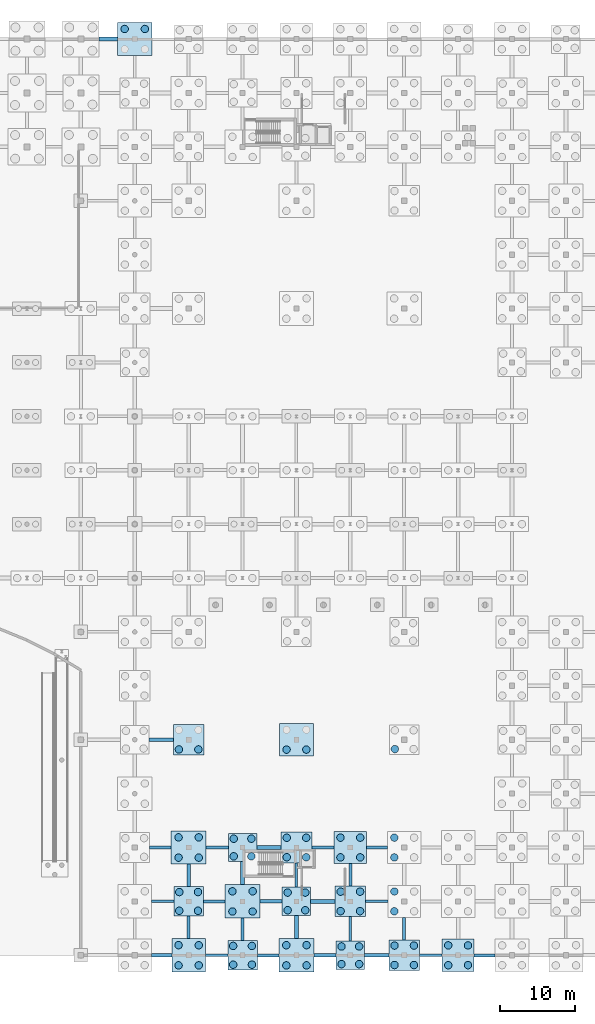
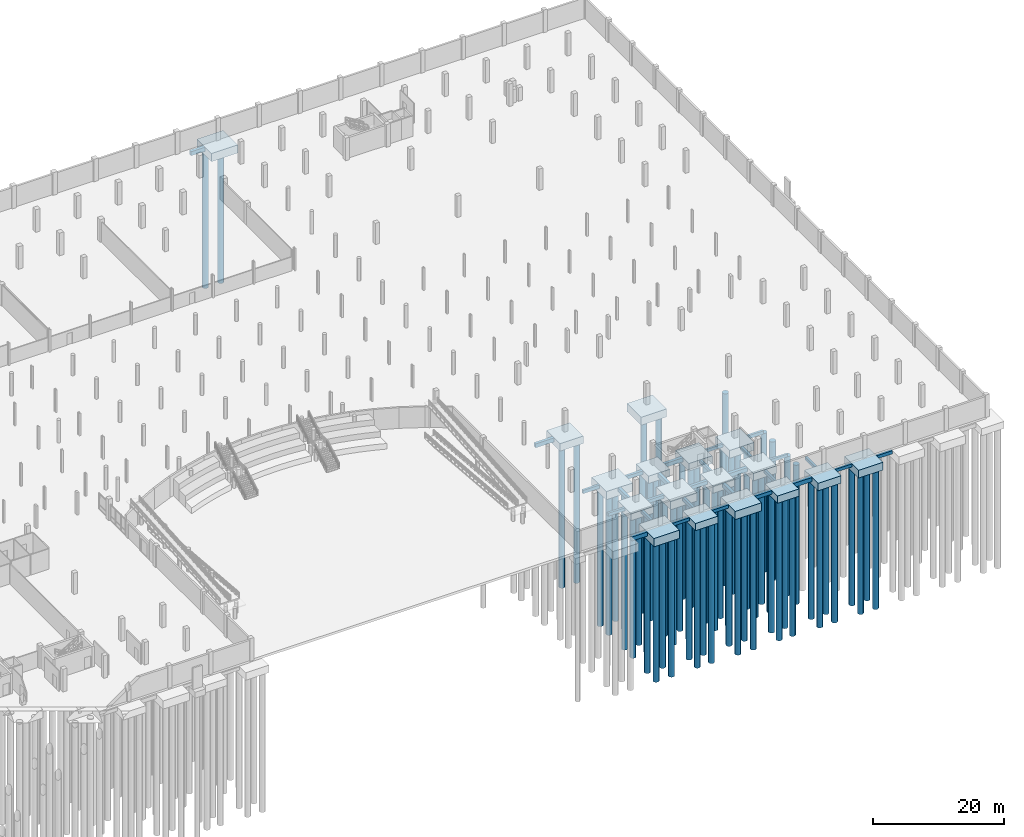
# One storey, part 12 of 56: 67 piles, 45 footings.
"""IFC4 building model written with IfcOpenShell, lengths in metres."""

from ifc_helpers import new_model, si_unit, direction, frame, origin, origin_2d, place, context, subcontext, project, spatial, rectangle, circle, extrude, material, material_profile, profile_set, type_object, element, save


model = new_model("IFC4")

# Units and contexts
model_context = context("Model", 3, precision=1e-05, world=origin(), true_north=direction((0.0, 1.0)))
body_context = subcontext(model_context, "Body", "Model", "MODEL_VIEW")
ifc_project = project(units=[si_unit("LENGTHUNIT", "METRE"), si_unit("AREAUNIT", "SQUARE_METRE"), si_unit("VOLUMEUNIT", "CUBIC_METRE"), si_unit("PLANEANGLEUNIT", "RADIAN"), si_unit("MASSUNIT", "GRAM", prefix="KILO")], contexts=[model_context])

# Site, building, storey
site_placement = place(None, origin())
site = spatial("IfcSite", under=ifc_project, at=site_placement, CompositionType="ELEMENT")
building_placement = place(site_placement, origin())
building = spatial("IfcBuilding", under=site, at=building_placement, Name="Suanplinth Sawtooth Commons", CompositionType="ELEMENT")
storey_placement = place(building_placement, frame((0.0, 0.0, -4.199951171875)))
storey = spatial("IfcBuildingStorey", under=building, at=storey_placement, Name="B1", CompositionType="ELEMENT", Elevation=-4.199951171875)

# Footings
ifc_material_1 = material(Name="Concrete C35/45", Category="concrete")
ifc_material_profile_1 = material_profile(ifc_material_1, rectangle(XDim=0.449951171875, YDim=0.64990234375, at=origin_2d()), Name="PC-GDR 450x650")
ifc_profile_set_1 = profile_set([ifc_material_profile_1], Name="Concrete C35/45")
footing_type_1 = type_object("IfcFootingType", Name="FB-01", PredefinedType="FOOTING_BEAM", material=ifc_profile_set_1)
footing_1_placement = place(storey_placement, frame((129.60009765625, 9.175048828125, -0.824951171875), z_axis=(0.0, 1.0, 0.0), x_axis=(-1.0, 0.0, 0.0)))
element("IfcFooting", 1, at=footing_1_placement, inside=storey, type_object=footing_type_1, Name="Foundation Tie Beam 19/B-C", PredefinedType="FOOTING_BEAM", context=body_context, shape_type="SweptSolid", body=[
    extrude(rectangle(XDim=0.449951171875, YDim=0.64990234375, at=origin_2d()), origin(), (0.0, 0.0, 1.0), 3.0),
])
footing_2_placement = place(storey_placement, frame((131.925048828125, 14.39990234375, -0.824951171875), z_axis=(1.0, 0.0, 0.0), x_axis=(0.0, 1.0, 0.0)))
element("IfcFooting", 2, at=footing_2_placement, inside=storey, type_object=footing_type_1, Name="Foundation Tie Beam 19-20/C", PredefinedType="FOOTING_BEAM", context=body_context, shape_type="SweptSolid", body=[
    extrude(rectangle(XDim=0.449951171875, YDim=0.64990234375, at=origin_2d()), origin(), (0.0, 0.0, 1.0), 2.974853515625),
])
footing_3_placement = place(storey_placement, frame((136.800048828125, 1.97509765625, -0.824951171875), z_axis=(0.0, 1.0, 0.0), x_axis=(-1.0, 0.0, 0.0)))
element("IfcFooting", 3, at=footing_3_placement, inside=storey, type_object=footing_type_1, Name="Foundation Tie Beam 20/A-B", PredefinedType="FOOTING_BEAM", context=body_context, shape_type="SweptSolid", body=[
    extrude(rectangle(XDim=0.449951171875, YDim=0.64990234375, at=origin_2d()), origin(), (0.0, 0.0, 1.0), 3.0),
])
for number, where, z_axis, x_axis, name in (
    (4, (139.125, 7.199951171875, -0.824951171875), (1.0, 0.0, 0.0), (0.0, 1.0, 0.0), "Foundation Tie Beam 20-21/B"),
    (5, (146.324951171875, 0.0, -0.824951171875), (1.0, 0.0, 0.0), (0.0, 1.0, 0.0), "Foundation Tie Beam 21-22/A"),
):
    element("IfcFooting", number, at=place(storey_placement, frame(where, z_axis=z_axis, x_axis=x_axis)), inside=storey, type_object=footing_type_1, Name=name, PredefinedType="FOOTING_BEAM", context=body_context, shape_type="SweptSolid", body=[
        extrude(rectangle(XDim=0.449951171875, YDim=0.64990234375, at=origin_2d()), origin(), (0.0, 0.0, 1.0), 2.97509765625),
    ])
ifc_material_profile_2 = material_profile(ifc_material_1, rectangle(XDim=0.5, YDim=0.75, at=origin_2d()), Name="RC-GDR 500x750")
ifc_profile_set_2 = profile_set([ifc_material_profile_2], Name="Concrete C35/45")
footing_type_2 = type_object("IfcFootingType", Name="FB-02", PredefinedType="FOOTING_BEAM", material=ifc_profile_set_2)
footing_4_placement = place(storey_placement, frame((117.64990234375, 122.39990234375, -0.875), z_axis=(1.0, 0.0, 0.0), x_axis=(0.0, 1.0, 0.0)))
element("IfcFooting", 6, at=footing_4_placement, inside=storey, type_object=footing_type_2, Name="Foundation Tie Beam 17-18/T", PredefinedType="FOOTING_BEAM", context=body_context, shape_type="SweptSolid", body=[
    extrude(rectangle(XDim=0.5, YDim=0.75, at=origin_2d()), origin(), (0.0, 0.0, 1.0), 2.425048828125),
])
footing_5_placement = place(storey_placement, frame((124.64990234375, 0.0, -0.875), z_axis=(1.0, 0.0, 0.0), x_axis=(0.0, 1.0, 0.0)))
element("IfcFooting", 7, at=footing_5_placement, inside=storey, type_object=footing_type_2, Name="Foundation Tie Beam 18-19/A", PredefinedType="FOOTING_BEAM", context=body_context, shape_type="SweptSolid", body=[
    extrude(rectangle(XDim=0.5, YDim=0.75, at=origin_2d()), origin(), (0.0, 0.0, 1.0), 2.7001953125),
])
footing_6_placement = place(storey_placement, frame((124.300048828125, 28.800048828125, -0.875), z_axis=(1.0, 0.0, 0.0), x_axis=(0.0, 1.0, 0.0)))
element("IfcFooting", 8, at=footing_6_placement, inside=storey, type_object=footing_type_2, Name="Foundation Tie Beam 18-19/E", PredefinedType="FOOTING_BEAM", context=body_context, shape_type="SweptSolid", body=[
    extrude(rectangle(XDim=0.5, YDim=0.75, at=origin_2d()), origin(), (0.0, 0.0, 1.0), 3.25),
])
footing_7_placement = place(storey_placement, frame((136.800048828125, 9.425048828125, -0.875), z_axis=(0.0, 1.0, 0.0), x_axis=(-1.0, 0.0, 0.0)))
element("IfcFooting", 9, at=footing_7_placement, inside=storey, type_object=footing_type_2, Name="Foundation Tie Beam 20/B-C", PredefinedType="FOOTING_BEAM", context=body_context, shape_type="SweptSolid", body=[
    extrude(rectangle(XDim=0.5, YDim=0.75, at=origin_2d()), origin(), (0.0, 0.0, 1.0), 3.074951171875),
])
footing_8_placement = place(storey_placement, frame((138.699951171875, 14.39990234375, -0.875), z_axis=(1.0, 0.0, 0.0), x_axis=(0.0, 1.0, 0.0)))
element("IfcFooting", 10, at=footing_8_placement, inside=storey, type_object=footing_type_2, Name="Foundation Tie Beam 20-21/C", PredefinedType="FOOTING_BEAM", context=body_context, shape_type="SweptSolid", body=[
    extrude(rectangle(XDim=0.5, YDim=0.75, at=origin_2d()), origin(), (0.0, 0.0, 1.0), 3.25),
])
footing_9_placement = place(storey_placement, frame((144.0, 2.22509765625, -0.875), z_axis=(0.0, 1.0, 0.0), x_axis=(-1.0, 0.0, 0.0)))
element("IfcFooting", 11, at=footing_9_placement, inside=storey, type_object=footing_type_2, Name="Foundation Tie Beam 21/A-B", PredefinedType="FOOTING_BEAM", context=body_context, shape_type="SweptSolid", body=[
    extrude(rectangle(XDim=0.5, YDim=0.75, at=origin_2d()), origin(), (0.0, 0.0, 1.0), 3.074951171875),
])
for number, where, z_axis, x_axis, name in (
    (12, (145.89990234375, 7.199951171875, -0.875), (1.0, 0.0, 0.0), (0.0, 1.0, 0.0), "Foundation Tie Beam 21-22/B"),
    (13, (153.10009765625, 0.0, -0.875), (1.0, 0.0, 0.0), (0.0, 1.0, 0.0), "Foundation Tie Beam 22-23/A"),
):
    element("IfcFooting", number, at=place(storey_placement, frame(where, z_axis=z_axis, x_axis=x_axis)), inside=storey, type_object=footing_type_2, Name=name, PredefinedType="FOOTING_BEAM", context=body_context, shape_type="SweptSolid", body=[
        extrude(rectangle(XDim=0.5, YDim=0.75, at=origin_2d()), origin(), (0.0, 0.0, 1.0), 3.25),
    ])
ifc_material_profile_3 = material_profile(ifc_material_1, rectangle(XDim=0.35009765625, YDim=0.550048828125, at=origin_2d()), Name="PC-BM 350x550")
ifc_profile_set_3 = profile_set([ifc_material_profile_3], Name="Concrete C35/45")
footing_type_3 = type_object("IfcFootingType", Name="FB-03", PredefinedType="FOOTING_BEAM", material=ifc_profile_set_3)
footing_10_placement = place(storey_placement, frame((124.64990234375, 7.199951171875, -0.775146484375), z_axis=(1.0, 0.0, 0.0), x_axis=(0.0, 1.0, 0.0)))
element("IfcFooting", 14, at=footing_10_placement, inside=storey, type_object=footing_type_3, Name="Foundation Tie Beam 18-19/B", PredefinedType="FOOTING_BEAM", context=body_context, shape_type="SweptSolid", body=[
    extrude(rectangle(XDim=0.35009765625, YDim=0.550048828125, at=origin_2d()), origin(), (0.0, 0.0, 1.0), 2.97509765625),
])
footing_11_placement = place(storey_placement, frame((131.85009765625, 0.0, -0.775146484375), z_axis=(1.0, 0.0, 0.0), x_axis=(0.0, 1.0, 0.0)))
element("IfcFooting", 15, at=footing_11_placement, inside=storey, type_object=footing_type_3, Name="Foundation Tie Beam 19-20/A", PredefinedType="FOOTING_BEAM", context=body_context, shape_type="SweptSolid", body=[
    extrude(rectangle(XDim=0.35009765625, YDim=0.550048828125, at=origin_2d()), origin(), (0.0, 0.0, 1.0), 2.974853515625),
])
footing_12_placement = place(storey_placement, frame((144.0, 9.10009765625, -0.775146484375), z_axis=(0.0, 1.0, 0.0), x_axis=(-1.0, 0.0, 0.0)))
element("IfcFooting", 16, at=footing_12_placement, inside=storey, type_object=footing_type_3, Name="Foundation Tie Beam 21/B-C", PredefinedType="FOOTING_BEAM", context=body_context, shape_type="SweptSolid", body=[
    extrude(rectangle(XDim=0.35009765625, YDim=0.550048828125, at=origin_2d()), origin(), (0.0, 0.0, 1.0), 3.25),
])
footing_13_placement = place(storey_placement, frame((146.050048828125, 14.39990234375, -0.775146484375), z_axis=(1.0, 0.0, 0.0), x_axis=(0.0, 1.0, 0.0)))
element("IfcFooting", 17, at=footing_13_placement, inside=storey, type_object=footing_type_3, Name="Foundation Tie Beam 21-22/C", PredefinedType="FOOTING_BEAM", context=body_context, shape_type="SweptSolid", body=[
    extrude(rectangle(XDim=0.35009765625, YDim=0.550048828125, at=origin_2d()), origin(), (0.0, 0.0, 1.0), 3.0),
])
footing_14_placement = place(storey_placement, frame((151.199951171875, 1.89990234375, -0.775146484375), z_axis=(0.0, 1.0, 0.0), x_axis=(-1.0, 0.0, 0.0)))
element("IfcFooting", 18, at=footing_14_placement, inside=storey, type_object=footing_type_3, Name="Foundation Tie Beam 22/A-B", PredefinedType="FOOTING_BEAM", context=body_context, shape_type="SweptSolid", body=[
    extrude(rectangle(XDim=0.35009765625, YDim=0.550048828125, at=origin_2d()), origin(), (0.0, 0.0, 1.0), 3.25),
])
for number, where, z_axis, x_axis, name in (
    (19, (153.25, 7.199951171875, -0.775146484375), (1.0, 0.0, 0.0), (0.0, 1.0, 0.0), "Foundation Tie Beam 22-23/B"),
    (20, (160.449951171875, 0.0, -0.775146484375), (1.0, 0.0, 0.0), (0.0, 1.0, 0.0), "Foundation Tie Beam 23-24/A"),
):
    element("IfcFooting", number, at=place(storey_placement, frame(where, z_axis=z_axis, x_axis=x_axis)), inside=storey, type_object=footing_type_3, Name=name, PredefinedType="FOOTING_BEAM", context=body_context, shape_type="SweptSolid", body=[
        extrude(rectangle(XDim=0.35009765625, YDim=0.550048828125, at=origin_2d()), origin(), (0.0, 0.0, 1.0), 3.0),
    ])
ifc_material_profile_4 = material_profile(ifc_material_1, rectangle(XDim=0.39990234375, YDim=0.60009765625, at=origin_2d()), Name="PC-GDR 400x600")
ifc_profile_set_4 = profile_set([ifc_material_profile_4], Name="Concrete C35/45")
footing_type_4 = type_object("IfcFootingType", Name="FB-04", PredefinedType="FOOTING_BEAM", material=ifc_profile_set_4)
footing_15_placement = place(storey_placement, frame((124.375, 14.39990234375, -0.800048828125), z_axis=(1.0, 0.0, 0.0), x_axis=(0.0, 1.0, 0.0)))
element("IfcFooting", 21, at=footing_15_placement, inside=storey, type_object=footing_type_4, Name="Foundation Tie Beam 18-19/C", PredefinedType="FOOTING_BEAM", context=body_context, shape_type="SweptSolid", body=[
    extrude(rectangle(XDim=0.39990234375, YDim=0.60009765625, at=origin_2d()), origin(), (0.0, 0.0, 1.0), 2.89990234375),
])
footing_16_placement = place(storey_placement, frame((129.60009765625, 2.25, -0.800048828125), z_axis=(0.0, 1.0, 0.0), x_axis=(-1.0, 0.0, 0.0)))
element("IfcFooting", 22, at=footing_16_placement, inside=storey, type_object=footing_type_4, Name="Foundation Tie Beam 19/A-B", PredefinedType="FOOTING_BEAM", context=body_context, shape_type="SweptSolid", body=[
    extrude(rectangle(XDim=0.39990234375, YDim=0.60009765625, at=origin_2d()), origin(), (0.0, 0.0, 1.0), 2.97509765625),
])
for number, where, z_axis, x_axis, name in (
    (23, (131.574951171875, 7.199951171875, -0.800048828125), (1.0, 0.0, 0.0), (0.0, 1.0, 0.0), "Foundation Tie Beam 19-20/B"),
    (24, (138.77490234375, 0.0, -0.800048828125), (1.0, 0.0, 0.0), (0.0, 1.0, 0.0), "Foundation Tie Beam 20-21/A"),
):
    element("IfcFooting", number, at=place(storey_placement, frame(where, z_axis=z_axis, x_axis=x_axis)), inside=storey, type_object=footing_type_4, Name=name, PredefinedType="FOOTING_BEAM", context=body_context, shape_type="SweptSolid", body=[
        extrude(rectangle(XDim=0.39990234375, YDim=0.60009765625, at=origin_2d()), origin(), (0.0, 0.0, 1.0), 2.900146484375),
    ])
footing_17_placement = place(storey_placement, frame((151.199951171875, 9.25, -0.800048828125), z_axis=(0.0, 1.0, 0.0), x_axis=(-1.0, 0.0, 0.0)))
element("IfcFooting", 25, at=footing_17_placement, inside=storey, type_object=footing_type_4, Name="Foundation Tie Beam 22/B-C", PredefinedType="FOOTING_BEAM", context=body_context, shape_type="SweptSolid", body=[
    extrude(rectangle(XDim=0.39990234375, YDim=0.60009765625, at=origin_2d()), origin(), (0.0, 0.0, 1.0), 3.0),
])
footing_18_placement = place(storey_placement, frame((153.35009765625, 14.39990234375, -0.800048828125), z_axis=(1.0, 0.0, 0.0), x_axis=(0.0, 1.0, 0.0)))
element("IfcFooting", 26, at=footing_18_placement, inside=storey, type_object=footing_type_4, Name="Foundation Tie Beam 22-23/C", PredefinedType="FOOTING_BEAM", context=body_context, shape_type="SweptSolid", body=[
    extrude(rectangle(XDim=0.39990234375, YDim=0.60009765625, at=origin_2d()), origin(), (0.0, 0.0, 1.0), 2.7998046875),
])
footing_19_placement = place(storey_placement, frame((158.39990234375, 2.050048828125, -0.800048828125), z_axis=(0.0, 1.0, 0.0), x_axis=(-1.0, 0.0, 0.0)))
element("IfcFooting", 27, at=footing_19_placement, inside=storey, type_object=footing_type_4, Name="Foundation Tie Beam 23/A-B", PredefinedType="FOOTING_BEAM", context=body_context, shape_type="SweptSolid", body=[
    extrude(rectangle(XDim=0.39990234375, YDim=0.60009765625, at=origin_2d()), origin(), (0.0, 0.0, 1.0), 3.0),
])
footing_20_placement = place(storey_placement, frame((167.75, 0.0, -0.800048828125), z_axis=(1.0, 0.0, 0.0), x_axis=(0.0, 1.0, 0.0)))
element("IfcFooting", 28, at=footing_20_placement, inside=storey, type_object=footing_type_4, Name="Foundation Tie Beam 24-25/A", PredefinedType="FOOTING_BEAM", context=body_context, shape_type="SweptSolid", body=[
    extrude(rectangle(XDim=0.39990234375, YDim=0.60009765625, at=origin_2d()), origin(), (0.0, 0.0, 1.0), 2.800048828125),
])
footing_type_5 = type_object("IfcFootingType", Name="FC-06", PredefinedType="PILE_CAP", material=ifc_material_1)
for number, where, z_axis, x_axis, name in (
    (29, (136.800048828125, 14.39990234375, -1.85009765625), (0.0, 0.0, 1.0), (1.0, 0.0, 0.0), "Pile Cap 20/C"),
    (30, (144.0, 7.199951171875, -1.85009765625), (0.0, 0.0, 1.0), (1.0, 0.0, 0.0), "Pile Cap 21/B"),
    (31, (151.199951171875, 0.0, -1.85009765625), (0.0, 0.0, 1.0), (1.0, 0.0, 0.0), "Pile Cap 22/A"),
):
    element("IfcFooting", number, at=place(storey_placement, frame(where, z_axis=z_axis, x_axis=x_axis)), inside=storey, type_object=footing_type_5, Name=name, PredefinedType="PILE_CAP", context=body_context, shape_type="SweptSolid", body=[
        extrude(rectangle(XDim=3.800048828125, YDim=3.800048828125, at=origin_2d()), origin(), (0.0, 0.0, 1.0), 1.35009765625),
    ])
footing_type_6 = type_object("IfcFootingType", Name="FC-07", PredefinedType="PILE_CAP", material=ifc_material_1)
for number, where, z_axis, x_axis, name in (
    (32, (129.60009765625, 28.800048828125, -1.89990234375), (0.0, 0.0, 1.0), (1.0, 0.0, 0.0), "Pile Cap 19/E"),
    (33, (144.0, 14.39990234375, -1.89990234375), (0.0, 0.0, 1.0), (1.0, 0.0, 0.0), "Pile Cap 21/C"),
    (34, (151.199951171875, 7.199951171875, -1.89990234375), (0.0, 0.0, 1.0), (1.0, 0.0, 0.0), "Pile Cap 22/B"),
    (35, (158.39990234375, 0.0, -1.89990234375), (0.0, 0.0, 1.0), (1.0, 0.0, 0.0), "Pile Cap 23/A"),
):
    element("IfcFooting", number, at=place(storey_placement, frame(where, z_axis=z_axis, x_axis=x_axis)), inside=storey, type_object=footing_type_6, Name=name, PredefinedType="PILE_CAP", context=body_context, shape_type="SweptSolid", body=[
        extrude(rectangle(XDim=4.10009765625, YDim=4.10009765625, at=origin_2d()), origin(), (0.0, 0.0, 1.0), 1.39990234375),
    ])
footing_type_7 = type_object("IfcFootingType", Name="FC-08", PredefinedType="PILE_CAP", material=ifc_material_1)
for number, where, z_axis, x_axis, name in (
    (36, (151.199951171875, 14.39990234375, -1.9501953125), (0.0, 0.0, 1.0), (1.0, 0.0, 0.0), "Pile Cap 22/C"),
    (37, (165.60009765625, 0.0, -1.9501953125), (0.0, 0.0, 1.0), (1.0, 0.0, 0.0), "Pile Cap 24/A"),
):
    element("IfcFooting", number, at=place(storey_placement, frame(where, z_axis=z_axis, x_axis=x_axis)), inside=storey, type_object=footing_type_7, Name=name, PredefinedType="PILE_CAP", context=body_context, shape_type="SweptSolid", body=[
        extrude(rectangle(XDim=4.300048828125, YDim=4.300048828125, at=origin_2d()), origin(), (0.0, 0.0, 1.0), 1.449951171875),
    ])
footing_type_8 = type_object("IfcFootingType", Name="FC-09", PredefinedType="PILE_CAP", material=ifc_material_1)
footing_21_placement = place(storey_placement, frame((144.0, 28.800048828125, -2.0), z_axis=(0.0, 0.0, 1.0), x_axis=(1.0, 0.0, 0.0)))
element("IfcFooting", 38, at=footing_21_placement, inside=storey, type_object=footing_type_8, Name="Pile Cap 21/E", PredefinedType="PILE_CAP", context=body_context, shape_type="SweptSolid", body=[
    extrude(rectangle(XDim=4.5, YDim=4.300048828125, at=origin_2d()), origin(), (0.0, 0.0, 1.0), 1.5),
])
footing_type_9 = type_object("IfcFootingType", Name="FC-10", PredefinedType="PILE_CAP", material=ifc_material_1)
footing_22_placement = place(storey_placement, frame((129.60009765625, 0.0, -2.05029296875), z_axis=(0.0, 0.0, 1.0), x_axis=(1.0, 0.0, 0.0)))
element("IfcFooting", 39, at=footing_22_placement, inside=storey, type_object=footing_type_9, Name="Pile Cap 19/A", PredefinedType="PILE_CAP", context=body_context, shape_type="SweptSolid", body=[
    extrude(rectangle(XDim=4.5, YDim=4.5, at=origin_2d()), origin(), (0.0, 0.0, 1.0), 1.550048828125),
])
footing_type_10 = type_object("IfcFootingType", Name="FC-15", PredefinedType="PILE_CAP", material=ifc_material_1)
for number, where, z_axis, x_axis, name in (
    (40, (129.60009765625, 7.199951171875, -1.8203125), (0.0, 0.0, 1.0), (1.0, 0.0, 0.0), "Pile Cap 19/B"),
    (41, (136.800048828125, 0.0, -1.8203125), (0.0, 0.0, 1.0), (1.0, 0.0, 0.0), "Pile Cap 20/A"),
):
    element("IfcFooting", number, at=place(storey_placement, frame(where, z_axis=z_axis, x_axis=x_axis)), inside=storey, type_object=footing_type_10, Name=name, PredefinedType="PILE_CAP", context=body_context, shape_type="SweptSolid", body=[
        extrude(rectangle(XDim=3.949951171875, YDim=3.949951171875, at=origin_2d()), origin(), (0.0, 0.0, 1.0), 1.320068359375),
    ])
footing_type_11 = type_object("IfcFootingType", Name="FC-16", PredefinedType="PILE_CAP", material=ifc_material_1)
for number, where, z_axis, x_axis, name in (
    (42, (122.39990234375, 122.39990234375, -2.02001953125), (0.0, 0.0, 1.0), (1.0, 0.0, 0.0), "Pile Cap 18/T"),
    (43, (129.60009765625, 14.39990234375, -2.02001953125), (0.0, 0.0, 1.0), (1.0, 0.0, 0.0), "Pile Cap 19/C"),
    (44, (136.800048828125, 7.199951171875, -2.02001953125), (0.0, 0.0, 1.0), (1.0, 0.0, 0.0), "Pile Cap 20/B"),
    (45, (144.0, 0.0, -2.02001953125), (0.0, 0.0, 1.0), (1.0, 0.0, 0.0), "Pile Cap 21/A"),
):
    element("IfcFooting", number, at=place(storey_placement, frame(where, z_axis=z_axis, x_axis=x_axis)), inside=storey, type_object=footing_type_11, Name=name, PredefinedType="PILE_CAP", context=body_context, shape_type="SweptSolid", body=[
        extrude(rectangle(XDim=4.64990234375, YDim=4.449951171875, at=origin_2d()), origin(), (0.0, 0.0, 1.0), 1.52001953125),
    ])

# Piles
ifc_material_2 = material(Name="Concrete C32/40", Category="concrete")
ifc_material_profile_5 = material_profile(ifc_material_2, circle(Radius=0.5, at=origin_2d()), Name="PILE D1000")
ifc_profile_set_5 = profile_set([ifc_material_profile_5], Name="Concrete C32/40")
pile_type = type_object("IfcPileType", Name="P-02", PredefinedType="BORED", material=ifc_profile_set_5)
for number, where, z_axis, x_axis, name in (
    (46, (121.050048828125, 123.75, -1.920166015625), (0.0, 0.0, -1.0), (1.0, 0.0, 0.0), "Bored Pile 18/T-3"),
    (47, (123.75, 123.75, -1.920166015625), (0.0, 0.0, -1.0), (1.0, 0.0, 0.0), "Bored Pile 18/T-4"),
):
    element("IfcPile", number, at=place(storey_placement, frame(where, z_axis=z_axis, x_axis=x_axis)), inside=storey, type_object=pile_type, Name=name, PredefinedType="BORED", context=body_context, shape_type="SweptSolid", body=[
        extrude(circle(Radius=0.5, at=origin_2d()), origin(), (0.0, 0.0, 1.0), 25.8798828125),
    ])
for number, where, z_axis, x_axis, name in (
    (48, (128.25, -1.35009765625, -1.949951171875), (0.0, 0.0, -1.0), (1.0, 0.0, 0.0), "Bored Pile 19/A-1"),
    (49, (130.949951171875, -1.35009765625, -1.949951171875), (0.0, 0.0, -1.0), (1.0, 0.0, 0.0), "Bored Pile 19/A-2"),
    (50, (128.25, 1.35009765625, -1.949951171875), (0.0, 0.0, -1.0), (1.0, 0.0, 0.0), "Bored Pile 19/A-3"),
    (51, (130.949951171875, 1.35009765625, -1.949951171875), (0.0, 0.0, -1.0), (1.0, 0.0, 0.0), "Bored Pile 19/A-4"),
):
    element("IfcPile", number, at=place(storey_placement, frame(where, z_axis=z_axis, x_axis=x_axis)), inside=storey, type_object=pile_type, Name=name, PredefinedType="BORED", context=body_context, shape_type="SweptSolid", body=[
        extrude(circle(Radius=0.5, at=origin_2d()), origin(), (0.0, 0.0, 1.0), 25.85009765625),
    ])
for number, where, z_axis, x_axis, name in (
    (52, (128.35009765625, 5.949951171875, -1.719970703125), (0.0, 0.0, -1.0), (1.0, 0.0, 0.0), "Bored Pile 19/B-1"),
    (53, (130.85009765625, 5.949951171875, -1.719970703125), (0.0, 0.0, -1.0), (1.0, 0.0, 0.0), "Bored Pile 19/B-2"),
    (54, (128.35009765625, 8.449951171875, -1.719970703125), (0.0, 0.0, -1.0), (1.0, 0.0, 0.0), "Bored Pile 19/B-3"),
    (55, (130.85009765625, 8.449951171875, -1.719970703125), (0.0, 0.0, -1.0), (1.0, 0.0, 0.0), "Bored Pile 19/B-4"),
):
    element("IfcPile", number, at=place(storey_placement, frame(where, z_axis=z_axis, x_axis=x_axis)), inside=storey, type_object=pile_type, Name=name, PredefinedType="BORED", context=body_context, shape_type="SweptSolid", body=[
        extrude(circle(Radius=0.5, at=origin_2d()), origin(), (0.0, 0.0, 1.0), 26.080078125),
    ])
for number, where, z_axis, x_axis, name in (
    (56, (128.25, 13.050048828125, -1.920166015625), (0.0, 0.0, -1.0), (1.0, 0.0, 0.0), "Bored Pile 19/C-1"),
    (57, (130.949951171875, 13.050048828125, -1.920166015625), (0.0, 0.0, -1.0), (1.0, 0.0, 0.0), "Bored Pile 19/C-2"),
    (58, (128.25, 15.75, -1.920166015625), (0.0, 0.0, -1.0), (1.0, 0.0, 0.0), "Bored Pile 19/C-3"),
    (59, (130.949951171875, 15.75, -1.920166015625), (0.0, 0.0, -1.0), (1.0, 0.0, 0.0), "Bored Pile 19/C-4"),
):
    element("IfcPile", number, at=place(storey_placement, frame(where, z_axis=z_axis, x_axis=x_axis)), inside=storey, type_object=pile_type, Name=name, PredefinedType="BORED", context=body_context, shape_type="SweptSolid", body=[
        extrude(circle(Radius=0.5, at=origin_2d()), origin(), (0.0, 0.0, 1.0), 25.8798828125),
    ])
for number, where, z_axis, x_axis, name in (
    (60, (128.300048828125, 27.5, -1.800048828125), (0.0, 0.0, -1.0), (1.0, 0.0, 0.0), "Bored Pile 19/E-1"),
    (61, (130.89990234375, 27.5, -1.800048828125), (0.0, 0.0, -1.0), (1.0, 0.0, 0.0), "Bored Pile 19/E-2"),
):
    element("IfcPile", number, at=place(storey_placement, frame(where, z_axis=z_axis, x_axis=x_axis)), inside=storey, type_object=pile_type, Name=name, PredefinedType="BORED", context=body_context, shape_type="SweptSolid", body=[
        extrude(circle(Radius=0.5, at=origin_2d()), origin(), (0.0, 0.0, 1.0), 26.0),
    ])
for number, where, z_axis, x_axis, name in (
    (62, (135.550048828125, -1.25, -1.719970703125), (0.0, 0.0, -1.0), (1.0, 0.0, 0.0), "Bored Pile 20/A-1"),
    (63, (138.050048828125, -1.25, -1.719970703125), (0.0, 0.0, -1.0), (1.0, 0.0, 0.0), "Bored Pile 20/A-2"),
    (64, (135.550048828125, 1.25, -1.719970703125), (0.0, 0.0, -1.0), (1.0, 0.0, 0.0), "Bored Pile 20/A-3"),
    (65, (138.050048828125, 1.25, -1.719970703125), (0.0, 0.0, -1.0), (1.0, 0.0, 0.0), "Bored Pile 20/A-4"),
):
    element("IfcPile", number, at=place(storey_placement, frame(where, z_axis=z_axis, x_axis=x_axis)), inside=storey, type_object=pile_type, Name=name, PredefinedType="BORED", context=body_context, shape_type="SweptSolid", body=[
        extrude(circle(Radius=0.5, at=origin_2d()), origin(), (0.0, 0.0, 1.0), 26.080078125),
    ])
for number, where, z_axis, x_axis, name in (
    (66, (135.449951171875, 5.85009765625, -1.920166015625), (0.0, 0.0, -1.0), (1.0, 0.0, 0.0), "Bored Pile 20/B-1"),
    (67, (138.14990234375, 5.85009765625, -1.920166015625), (0.0, 0.0, -1.0), (1.0, 0.0, 0.0), "Bored Pile 20/B-2"),
    (68, (135.449951171875, 8.550048828125, -1.920166015625), (0.0, 0.0, -1.0), (1.0, 0.0, 0.0), "Bored Pile 20/B-3"),
    (69, (138.14990234375, 8.550048828125, -1.920166015625), (0.0, 0.0, -1.0), (1.0, 0.0, 0.0), "Bored Pile 20/B-4"),
):
    element("IfcPile", number, at=place(storey_placement, frame(where, z_axis=z_axis, x_axis=x_axis)), inside=storey, type_object=pile_type, Name=name, PredefinedType="BORED", context=body_context, shape_type="SweptSolid", body=[
        extrude(circle(Radius=0.5, at=origin_2d()), origin(), (0.0, 0.0, 1.0), 25.8798828125),
    ])
for number, where, z_axis, x_axis, name in (
    (70, (135.6201171875, 13.219970703125, -1.75), (0.0, 0.0, -1.0), (1.0, 0.0, 0.0), "Bored Pile 20/C-1"),
    (71, (137.97998046875, 13.219970703125, -1.75), (0.0, 0.0, -1.0), (1.0, 0.0, 0.0), "Bored Pile 20/C-2"),
    (72, (135.6201171875, 15.580078125, -1.75), (0.0, 0.0, -1.0), (1.0, 0.0, 0.0), "Bored Pile 20/C-3"),
    (73, (137.97998046875, 15.580078125, -1.75), (0.0, 0.0, -1.0), (1.0, 0.0, 0.0), "Bored Pile 20/C-4"),
):
    element("IfcPile", number, at=place(storey_placement, frame(where, z_axis=z_axis, x_axis=x_axis)), inside=storey, type_object=pile_type, Name=name, PredefinedType="BORED", context=body_context, shape_type="SweptSolid", body=[
        extrude(circle(Radius=0.5, at=origin_2d()), origin(), (0.0, 0.0, 1.0), 26.050048828125),
    ])
for number, where, z_axis, x_axis, name in (
    (74, (142.64990234375, -1.35009765625, -1.920166015625), (0.0, 0.0, -1.0), (1.0, 0.0, 0.0), "Bored Pile 21/A-1"),
    (75, (145.35009765625, -1.35009765625, -1.920166015625), (0.0, 0.0, -1.0), (1.0, 0.0, 0.0), "Bored Pile 21/A-2"),
    (76, (142.64990234375, 1.35009765625, -1.920166015625), (0.0, 0.0, -1.0), (1.0, 0.0, 0.0), "Bored Pile 21/A-3"),
    (77, (145.35009765625, 1.35009765625, -1.920166015625), (0.0, 0.0, -1.0), (1.0, 0.0, 0.0), "Bored Pile 21/A-4"),
):
    element("IfcPile", number, at=place(storey_placement, frame(where, z_axis=z_axis, x_axis=x_axis)), inside=storey, type_object=pile_type, Name=name, PredefinedType="BORED", context=body_context, shape_type="SweptSolid", body=[
        extrude(circle(Radius=0.5, at=origin_2d()), origin(), (0.0, 0.0, 1.0), 25.8798828125),
    ])
for number, where, z_axis, x_axis, name in (
    (78, (142.820068359375, 6.02001953125, -1.75), (0.0, 0.0, -1.0), (1.0, 0.0, 0.0), "Bored Pile 21/B-1"),
    (79, (145.179931640625, 6.02001953125, -1.75), (0.0, 0.0, -1.0), (1.0, 0.0, 0.0), "Bored Pile 21/B-2"),
    (80, (142.820068359375, 8.3798828125, -1.75), (0.0, 0.0, -1.0), (1.0, 0.0, 0.0), "Bored Pile 21/B-3"),
    (81, (145.179931640625, 8.3798828125, -1.75), (0.0, 0.0, -1.0), (1.0, 0.0, 0.0), "Bored Pile 21/B-4"),
):
    element("IfcPile", number, at=place(storey_placement, frame(where, z_axis=z_axis, x_axis=x_axis)), inside=storey, type_object=pile_type, Name=name, PredefinedType="BORED", context=body_context, shape_type="SweptSolid", body=[
        extrude(circle(Radius=0.5, at=origin_2d()), origin(), (0.0, 0.0, 1.0), 26.050048828125),
    ])
for number, where, z_axis, x_axis, name in (
    (82, (142.699951171875, 13.10009765625, -1.800048828125), (0.0, 0.0, -1.0), (1.0, 0.0, 0.0), "Bored Pile 21/C-1"),
    (83, (145.300048828125, 13.10009765625, -1.800048828125), (0.0, 0.0, -1.0), (1.0, 0.0, 0.0), "Bored Pile 21/C-2"),
    (84, (142.699951171875, 15.699951171875, -1.800048828125), (0.0, 0.0, -1.0), (1.0, 0.0, 0.0), "Bored Pile 21/C-3"),
    (85, (145.300048828125, 15.699951171875, -1.800048828125), (0.0, 0.0, -1.0), (1.0, 0.0, 0.0), "Bored Pile 21/C-4"),
):
    element("IfcPile", number, at=place(storey_placement, frame(where, z_axis=z_axis, x_axis=x_axis)), inside=storey, type_object=pile_type, Name=name, PredefinedType="BORED", context=body_context, shape_type="SweptSolid", body=[
        extrude(circle(Radius=0.5, at=origin_2d()), origin(), (0.0, 0.0, 1.0), 26.0),
    ])
for number, where, z_axis, x_axis, name in (
    (86, (142.679931640625, 27.47998046875, -1.900146484375), (0.0, 0.0, -1.0), (1.0, 0.0, 0.0), "Bored Pile 21/E-1"),
    (87, (145.320068359375, 27.47998046875, -1.900146484375), (0.0, 0.0, -1.0), (1.0, 0.0, 0.0), "Bored Pile 21/E-2"),
):
    element("IfcPile", number, at=place(storey_placement, frame(where, z_axis=z_axis, x_axis=x_axis)), inside=storey, type_object=pile_type, Name=name, PredefinedType="BORED", context=body_context, shape_type="SweptSolid", body=[
        extrude(circle(Radius=0.5, at=origin_2d()), origin(), (0.0, 0.0, 1.0), 25.89990234375),
    ])
for number, where, z_axis, x_axis, name in (
    (88, (150.02001953125, -1.179931640625, -1.75), (0.0, 0.0, -1.0), (1.0, 0.0, 0.0), "Bored Pile 22/A-1"),
    (89, (152.3798828125, -1.179931640625, -1.75), (0.0, 0.0, -1.0), (1.0, 0.0, 0.0), "Bored Pile 22/A-2"),
    (90, (150.02001953125, 1.179931640625, -1.75), (0.0, 0.0, -1.0), (1.0, 0.0, 0.0), "Bored Pile 22/A-3"),
    (91, (152.3798828125, 1.179931640625, -1.75), (0.0, 0.0, -1.0), (1.0, 0.0, 0.0), "Bored Pile 22/A-4"),
):
    element("IfcPile", number, at=place(storey_placement, frame(where, z_axis=z_axis, x_axis=x_axis)), inside=storey, type_object=pile_type, Name=name, PredefinedType="BORED", context=body_context, shape_type="SweptSolid", body=[
        extrude(circle(Radius=0.5, at=origin_2d()), origin(), (0.0, 0.0, 1.0), 26.050048828125),
    ])
for number, where, z_axis, x_axis, name in (
    (92, (149.89990234375, 5.89990234375, -1.800048828125), (0.0, 0.0, -1.0), (1.0, 0.0, 0.0), "Bored Pile 22/B-1"),
    (93, (152.5, 5.89990234375, -1.800048828125), (0.0, 0.0, -1.0), (1.0, 0.0, 0.0), "Bored Pile 22/B-2"),
    (94, (149.89990234375, 8.5, -1.800048828125), (0.0, 0.0, -1.0), (1.0, 0.0, 0.0), "Bored Pile 22/B-3"),
    (95, (152.5, 8.5, -1.800048828125), (0.0, 0.0, -1.0), (1.0, 0.0, 0.0), "Bored Pile 22/B-4"),
):
    element("IfcPile", number, at=place(storey_placement, frame(where, z_axis=z_axis, x_axis=x_axis)), inside=storey, type_object=pile_type, Name=name, PredefinedType="BORED", context=body_context, shape_type="SweptSolid", body=[
        extrude(circle(Radius=0.5, at=origin_2d()), origin(), (0.0, 0.0, 1.0), 26.0),
    ])
for number, where, z_axis, x_axis, name in (
    (96, (149.8798828125, 13.080078125, -1.85009765625), (0.0, 0.0, -1.0), (1.0, 0.0, 0.0), "Bored Pile 22/C-1"),
    (97, (152.52001953125, 13.080078125, -1.85009765625), (0.0, 0.0, -1.0), (1.0, 0.0, 0.0), "Bored Pile 22/C-2"),
    (98, (149.8798828125, 15.719970703125, -1.85009765625), (0.0, 0.0, -1.0), (1.0, 0.0, 0.0), "Bored Pile 22/C-3"),
    (99, (152.52001953125, 15.719970703125, -1.85009765625), (0.0, 0.0, -1.0), (1.0, 0.0, 0.0), "Bored Pile 22/C-4"),
):
    element("IfcPile", number, at=place(storey_placement, frame(where, z_axis=z_axis, x_axis=x_axis)), inside=storey, type_object=pile_type, Name=name, PredefinedType="BORED", context=body_context, shape_type="SweptSolid", body=[
        extrude(circle(Radius=0.5, at=origin_2d()), origin(), (0.0, 0.0, 1.0), 25.949951171875),
    ])
for number, where, z_axis, x_axis, name in (
    (100, (157.10009765625, -1.300048828125, -1.800048828125), (0.0, 0.0, -1.0), (1.0, 0.0, 0.0), "Bored Pile 23/A-1"),
    (101, (159.699951171875, -1.300048828125, -1.800048828125), (0.0, 0.0, -1.0), (1.0, 0.0, 0.0), "Bored Pile 23/A-2"),
    (102, (157.10009765625, 1.300048828125, -1.800048828125), (0.0, 0.0, -1.0), (1.0, 0.0, 0.0), "Bored Pile 23/A-3"),
    (103, (159.699951171875, 1.300048828125, -1.800048828125), (0.0, 0.0, -1.0), (1.0, 0.0, 0.0), "Bored Pile 23/A-4"),
):
    element("IfcPile", number, at=place(storey_placement, frame(where, z_axis=z_axis, x_axis=x_axis)), inside=storey, type_object=pile_type, Name=name, PredefinedType="BORED", context=body_context, shape_type="SweptSolid", body=[
        extrude(circle(Radius=0.5, at=origin_2d()), origin(), (0.0, 0.0, 1.0), 26.0),
    ])
for number, where, z_axis, x_axis, name in (
    (104, (157.080078125, 5.8798828125, -1.85009765625), (0.0, 0.0, -1.0), (1.0, 0.0, 0.0), "Bored Pile 23/B-1"),
    (105, (157.080078125, 8.52001953125, -1.85009765625), (0.0, 0.0, -1.0), (1.0, 0.0, 0.0), "Bored Pile 23/B-3"),
):
    element("IfcPile", number, at=place(storey_placement, frame(where, z_axis=z_axis, x_axis=x_axis)), inside=storey, type_object=pile_type, Name=name, PredefinedType="BORED", context=body_context, shape_type="SweptSolid", body=[
        extrude(circle(Radius=0.5, at=origin_2d()), origin(), (0.0, 0.0, 1.0), 25.949951171875),
    ])
for number, where, z_axis, x_axis, name in (
    (106, (157.080078125, 13.080078125, -1.900146484375), (0.0, 0.0, -1.0), (1.0, 0.0, 0.0), "Bored Pile 23/C-1"),
    (107, (157.080078125, 15.719970703125, -1.900146484375), (0.0, 0.0, -1.0), (1.0, 0.0, 0.0), "Bored Pile 23/C-3"),
):
    element("IfcPile", number, at=place(storey_placement, frame(where, z_axis=z_axis, x_axis=x_axis)), inside=storey, type_object=pile_type, Name=name, PredefinedType="BORED", context=body_context, shape_type="SweptSolid", body=[
        extrude(circle(Radius=0.5, at=origin_2d()), origin(), (0.0, 0.0, 1.0), 25.89990234375),
    ])
pile_placement = place(storey_placement, frame((157.14990234375, 27.550048828125, -1.719970703125), z_axis=(0.0, 0.0, -1.0), x_axis=(1.0, 0.0, 0.0)))
element("IfcPile", 108, at=pile_placement, inside=storey, type_object=pile_type, Name="Bored Pile 23/E-1", PredefinedType="BORED", context=body_context, shape_type="SweptSolid", body=[
    extrude(circle(Radius=0.5, at=origin_2d()), origin(), (0.0, 0.0, 1.0), 26.080078125),
])
for number, where, z_axis, x_axis, name in (
    (109, (164.280029296875, -1.320068359375, -1.85009765625), (0.0, 0.0, -1.0), (1.0, 0.0, 0.0), "Bored Pile 24/A-1"),
    (110, (166.919921875, -1.320068359375, -1.85009765625), (0.0, 0.0, -1.0), (1.0, 0.0, 0.0), "Bored Pile 24/A-2"),
    (111, (164.280029296875, 1.320068359375, -1.85009765625), (0.0, 0.0, -1.0), (1.0, 0.0, 0.0), "Bored Pile 24/A-3"),
    (112, (166.919921875, 1.320068359375, -1.85009765625), (0.0, 0.0, -1.0), (1.0, 0.0, 0.0), "Bored Pile 24/A-4"),
):
    element("IfcPile", number, at=place(storey_placement, frame(where, z_axis=z_axis, x_axis=x_axis)), inside=storey, type_object=pile_type, Name=name, PredefinedType="BORED", context=body_context, shape_type="SweptSolid", body=[
        extrude(circle(Radius=0.5, at=origin_2d()), origin(), (0.0, 0.0, 1.0), 25.949951171875),
    ])

save(model, "model.ifc")
